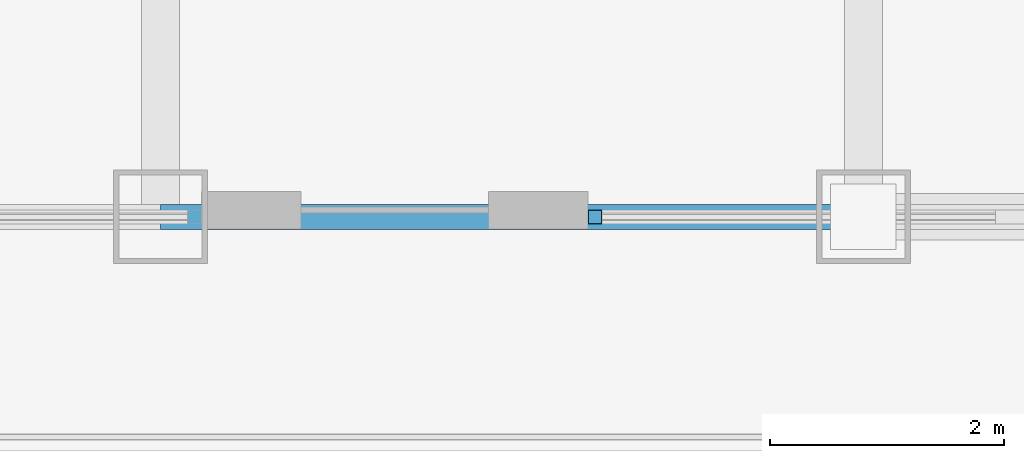
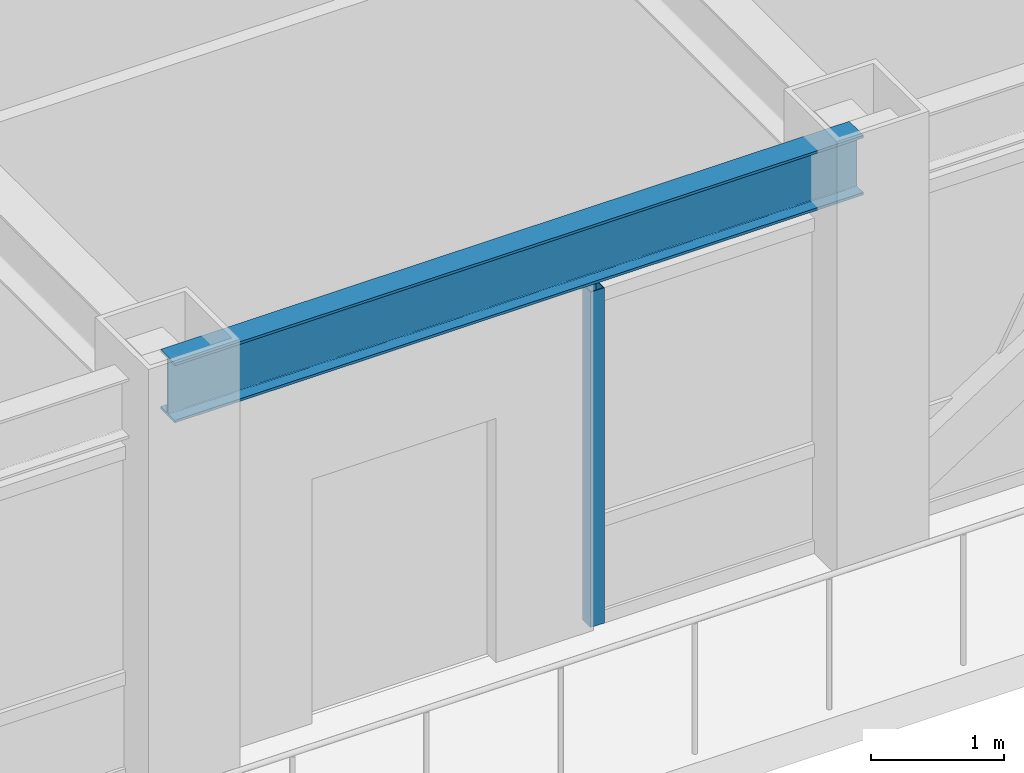
# One storey, part 5 of 30: 1 beam, 1 member, 1 element without a shape of its own.
"""IFC4 building model written with IfcOpenShell, lengths in metres."""

import ifcopenshell
import ifcopenshell.guid

model = None  # the IFC model being written
_history = None  # IfcOwnerHistory: only IFC2X3 demands one
_inside = {}  # id of a spatial element -> (the spatial element, [elements in it])
_under = {}  # id of a project, library or spatial element -> (it, [spatial elements below it])
_declared = {}  # id of a project -> (the project, [libraries it declares])
_typed = {}  # id of a type object -> (the type object, [elements of that type])
_made_of = {}  # id of a material, layer set ... -> (it, [elements and type objects made of it])


def new_model(schema):
    """Start an empty IFC model of exactly this schema.

    Asked for "IFC4X3", IfcOpenShell would pick the latest addendum, in which some entities
    have other attributes; the version numbers below select the first issue.
    IFC2X3 requires an IfcOwnerHistory on every rooted entity: one is made here for all.
    """
    global model, _history
    if schema == "IFC4X3":
        model = ifcopenshell.file(schema_version=(4, 3, 0, 0))
    else:
        model = ifcopenshell.file(schema=schema)
    _inside.clear()
    _under.clear()
    _declared.clear()
    _typed.clear()
    _made_of.clear()
    _history = None
    if model.schema == "IFC2X3":
        org = make("IfcOrganization", Name="unknown")
        user = make(
            "IfcPersonAndOrganization",
            ThePerson=make("IfcPerson", FamilyName="unknown"),
            TheOrganization=org,
        )
        app = make(
            "IfcApplication",
            ApplicationDeveloper=org,
            Version="unknown",
            ApplicationFullName="unknown",
            ApplicationIdentifier="unknown",
        )
        _history = make(
            "IfcOwnerHistory",
            OwningUser=user,
            OwningApplication=app,
            ChangeAction="ADDED",
            CreationDate=0,
        )
    return model


def make(cls, **values):
    """One entity of the class cls with the attributes given. An attribute that is None is left unset."""
    return model.create_entity(
        cls, **{name: value for name, value in values.items() if value is not None}
    )


def rooted(cls, **values):
    """An entity with a GlobalId (a new one), such as an element, a storey or a relation."""
    return make(cls, GlobalId=ifcopenshell.guid.new(), OwnerHistory=_history, **values)


def si_unit(unit_type, name, prefix=None):
    """IfcSIUnit, for example si_unit("LENGTHUNIT", "METRE", prefix="MILLI")."""
    return make("IfcSIUnit", UnitType=unit_type, Prefix=prefix, Name=name)


def assignment(units):
    """IfcUnitAssignment: the units of a project."""
    return None if units is None else make("IfcUnitAssignment", Units=units)


def point(xyz):
    """IfcCartesianPoint."""
    return None if xyz is None else make("IfcCartesianPoint", Coordinates=xyz)


def direction(xyz):
    """IfcDirection."""
    return None if xyz is None else make("IfcDirection", DirectionRatios=xyz)


def frame(location, z_axis=None, x_axis=None):
    """IfcAxis2Placement3D, a coordinate frame: its origin and axes. An axis left out is left unset."""
    return make(
        "IfcAxis2Placement3D",
        Location=point(location),
        Axis=direction(z_axis),
        RefDirection=direction(x_axis),
    )


def frame_2d(location, x_axis=None):
    """IfcAxis2Placement2D, a coordinate frame in the plane: its origin and x axis."""
    return make(
        "IfcAxis2Placement2D", Location=point(location), RefDirection=direction(x_axis)
    )


def origin():
    """The frame at (0, 0, 0) with its axes left unset."""
    return frame((0.0, 0.0, 0.0))


def origin_2d():
    """The frame at (0, 0) in the plane with its x axis left unset."""
    return frame_2d((0.0, 0.0))


def place(relative_to, where):
    """IfcLocalPlacement: puts the frame where relative to a parent placement (None: the world)."""
    return make(
        "IfcLocalPlacement", PlacementRelTo=relative_to, RelativePlacement=where
    )


def context(
    kind, dimensions, precision=None, world=None, true_north=None, identifier=None
):
    """IfcGeometricRepresentationContext, for example the 3D "Model" context."""
    return make(
        "IfcGeometricRepresentationContext",
        ContextIdentifier=identifier,
        ContextType=kind,
        CoordinateSpaceDimension=dimensions,
        Precision=precision,
        WorldCoordinateSystem=world,
        TrueNorth=true_north,
    )


def subcontext(parent, identifier, kind, view, scale=None):
    """IfcGeometricRepresentationSubContext, for example "Body" below "Model"."""
    return make(
        "IfcGeometricRepresentationSubContext",
        ContextIdentifier=identifier,
        ContextType=kind,
        ParentContext=parent,
        TargetScale=scale,
        TargetView=view,
    )


def project(units=None, contexts=None):
    """IfcProject with its units and contexts."""
    return rooted(
        "IfcProject",
        Name="project",
        RepresentationContexts=contexts,
        UnitsInContext=assignment(units),
    )


def spatial(cls, under=None, at=None, **own):
    """A site, building, storey or space (cls), placed at a placement, below another one or the project."""
    s = rooted(cls, ObjectPlacement=at, **own)
    if under is not None:
        _under.setdefault(under.id(), (under, []))[1].append(s)
    return s


def profile(cls, at=None, kind="AREA", **sizes):
    """A parametric profile (cls). Its sizes go by their IFC names, for example OverallWidth=200.0."""
    return make(cls, ProfileType=kind, Position=at, **sizes)


def hollow_rectangle(**sizes):
    """IfcRectangleHollowProfileDef."""
    return profile("IfcRectangleHollowProfileDef", **sizes)


def i_section(**sizes):
    """IfcIShapeProfileDef."""
    return profile("IfcIShapeProfileDef", **sizes)


def extrude(swept, where, along, depth):
    """IfcExtrudedAreaSolid: the profile swept, set in the frame where, extruded along a direction by depth."""
    return make(
        "IfcExtrudedAreaSolid",
        SweptArea=swept,
        Position=where,
        ExtrudedDirection=direction(along),
        Depth=depth,
    )


def shape(context_of_items, identifier, shape_type, items):
    """IfcShapeRepresentation: the items that make up one representation, for example the "Body"."""
    return make(
        "IfcShapeRepresentation",
        ContextOfItems=context_of_items,
        RepresentationIdentifier=identifier,
        RepresentationType=shape_type,
        Items=items,
    )


def source(mapping_origin, context_of_items, identifier, shape_type, items):
    """IfcRepresentationMap: a shape defined once, which mapped items show again and again."""
    return make(
        "IfcRepresentationMap",
        MappingOrigin=mapping_origin,
        MappedRepresentation=shape(context_of_items, identifier, shape_type, items),
    )


def transform(
    local_origin,
    x_axis=None,
    y_axis=None,
    z_axis=None,
    scale=None,
    scale2=None,
    scale3=None,
    uniform=True,
):
    """IfcCartesianTransformationOperator3D, or its non-uniform kind. x_axis, y_axis, z_axis: its Axis1, 2, 3."""
    if uniform:
        return make(
            "IfcCartesianTransformationOperator3D",
            Axis1=direction(x_axis),
            Axis2=direction(y_axis),
            LocalOrigin=point(local_origin),
            Scale=scale,
            Axis3=direction(z_axis),
        )
    return make(
        "IfcCartesianTransformationOperator3DnonUniform",
        Axis1=direction(x_axis),
        Axis2=direction(y_axis),
        LocalOrigin=point(local_origin),
        Scale=scale,
        Axis3=direction(z_axis),
        Scale2=scale2,
        Scale3=scale3,
    )


def mapped(mapping_source, mapping_target):
    """IfcMappedItem: shows the shape of a source again, moved by a transform."""
    return make(
        "IfcMappedItem", MappingSource=mapping_source, MappingTarget=mapping_target
    )


def material(Name=None, Category=None):
    """IfcMaterial."""
    return make("IfcMaterial", Name=Name, Category=Category)


def material_profile(
    of_material, cross_section, Name=None, Category=None, Priority=None
):
    """IfcMaterialProfile: a cross section and its material."""
    return make(
        "IfcMaterialProfile",
        Name=Name,
        Material=of_material,
        Profile=cross_section,
        Priority=Priority,
        Category=Category,
    )


def profile_set(profiles, Name=None, composite=None):
    """IfcMaterialProfileSet."""
    return make(
        "IfcMaterialProfileSet",
        Name=Name,
        MaterialProfiles=profiles,
        CompositeProfile=composite,
    )


def made_of(thing, what):
    """Note that an element or type object is made of a material, layer set ...; save() writes the relation."""
    if what is not None:
        _made_of.setdefault(what.id(), (what, []))[1].append(thing)
    return thing


def type_object(cls, material=None, **own):
    """A type object (cls), such as IfcWallType, which elements share."""
    return made_of(rooted(cls, **own), material)


def element(
    cls,
    number,
    at=None,
    inside=None,
    cuts=None,
    type_object=None,
    material=None,
    context=None,
    identifier="Body",
    shape_type=None,
    held_by="IfcProductDefinitionShape",
    body=None,
    shapes=None,
    **own,
):
    """One element of the class cls, such as IfcWall. Its Tag is "e" and its number.

    at: its placement. inside: the storey or other place that contains it. cuts: it is an
    opening in that element (IfcRelVoidsElement). A single representation is given by context,
    identifier, shape_type and body (its items); several are given by shapes. held_by: the class
    of the entity that holds the representations. save() writes the other relations.
    """
    e = rooted(cls, Tag="e%d" % number, ObjectPlacement=at, **own)
    if body is not None:
        shapes = [shape(context, identifier, shape_type, body)]
    if shapes is not None:
        e.Representation = make(held_by, Representations=shapes)
    if inside is not None:
        _inside.setdefault(inside.id(), (inside, []))[1].append(e)
    if cuts is not None:
        rooted(
            "IfcRelVoidsElement", RelatingBuildingElement=cuts, RelatedOpeningElement=e
        )
    if type_object is not None:
        _typed.setdefault(type_object.id(), (type_object, []))[1].append(e)
    return made_of(e, material)


def aggregate(whole, parts):
    """IfcRelAggregates: a whole, such as a stair, and the parts it consists of."""
    return rooted("IfcRelAggregates", RelatingObject=whole, RelatedObjects=parts)


def save(model, path):
    """Write the relations noted so far, then the file.

    IfcRelAggregates (storeys below a building ...), IfcRelContainedInSpatialStructure (elements
    in a storey), IfcRelDefinesByType, IfcRelAssociatesMaterial and IfcRelDeclares: one each for
    every whole, place, type object, material and project.
    """
    for whole, parts in _under.values():
        aggregate(whole, parts)
    for where, things in _inside.values():
        rooted(
            "IfcRelContainedInSpatialStructure",
            RelatedElements=things,
            RelatingStructure=where,
        )
    for kind, things in _typed.values():
        rooted("IfcRelDefinesByType", RelatedObjects=things, RelatingType=kind)
    for what, things in _made_of.values():
        rooted("IfcRelAssociatesMaterial", RelatedObjects=things, RelatingMaterial=what)
    for by, libraries in _declared.values():
        rooted("IfcRelDeclares", RelatingContext=by, RelatedDefinitions=libraries)
    model.write(path)


model = new_model("IFC4")

# Units and contexts
model_context = context("Model", 3, precision=1e-05, world=origin(), true_north=direction((0.0, 1.0)))
body_context = subcontext(model_context, "Body", "Model", "MODEL_VIEW")
ifc_project = project(units=[si_unit("LENGTHUNIT", "METRE"), si_unit("AREAUNIT", "SQUARE_METRE"), si_unit("VOLUMEUNIT", "CUBIC_METRE"), si_unit("PLANEANGLEUNIT", "RADIAN"), si_unit("MASSUNIT", "GRAM", prefix="KILO")], contexts=[model_context])

# Site, building, storey
site_placement = place(None, origin())
site = spatial("IfcSite", under=ifc_project, at=site_placement, CompositionType="ELEMENT")
building_placement = place(site_placement, origin())
building = spatial("IfcBuilding", under=site, at=building_placement, Name="Khorayat Bourse Tower", CompositionType="ELEMENT")
storey_placement = place(building_placement, frame((0.0, 0.0, 326.300048828125)))
storey = spatial("IfcBuildingStorey", under=building, at=storey_placement, Name="L77", CompositionType="ELEMENT", Elevation=326.300048828125)

# Beam
ifc_material_1 = material(Name="Steel ASTM A992 Grade 50", Category="steel")
ifc_material_profile_1 = material_profile(ifc_material_1, i_section(OverallWidth=0.214111328125, OverallDepth=0.549072265625, WebThickness=0.0146484375, FlangeThickness=0.023681640625, FilletRadius=0.013916015625, at=origin_2d()), Name="W530X138")
ifc_profile_set_1 = profile_set([ifc_material_profile_1], Name="Steel ASTM A992 Grade 50")
beam_type = type_object("IfcBeamType", Name="BM-SPAN-530", PredefinedType="SPANDREL", material=ifc_profile_set_1)
shared_shape_1 = source(origin(), body_context, "Body", "SweptSolid", [
    extrude(i_section(OverallWidth=0.214111328125, OverallDepth=0.549072265625, WebThickness=0.0146484375, FlangeThickness=0.023681640625, FilletRadius=0.013916015625, at=origin_2d()), origin(), (0.0, 0.0, 1.0), 6.0),
])
beam_placement = place(storey_placement, frame((0.0, -26.0, 3.46533203125), z_axis=(1.0, 0.0, 0.0), x_axis=(0.0, 1.0, 0.0)))
element("IfcBeam", 1, at=beam_placement, inside=storey, type_object=beam_type, Name="L77 BM-SPAN-530 BM-L77-SPN-027", PredefinedType="SPANDREL", context=body_context, shape_type="MappedRepresentation", body=[
    mapped(shared_shape_1, transform((0.0, 0.0, 0.0), scale=1.0)),
])

# Curtain wall, member
ifc_material_2 = material(Name="Aluminium EN AW-6063 T6", Category="aluminium")
curtain_wall_type = type_object("IfcCurtainWallType", Name="CW-SYS-04", PredefinedType="NOTDEFINED", material=ifc_material_2)
curtain_wall_placement = place(storey_placement, origin())
curtain_wall = element("IfcCurtainWall", 2, at=curtain_wall_placement, inside=storey, type_object=curtain_wall_type, Name="L77 Curtain Wall CW-L77-S2", PredefinedType="NOTDEFINED")
ifc_material_profile_2 = material_profile(ifc_material_2, hollow_rectangle(XDim=0.1201171875, YDim=0.1201171875, WallThickness=0.0048828125, at=origin_2d()), Name="ALU 120x120x5")
ifc_profile_set_2 = profile_set([ifc_material_profile_2], Name="Aluminium EN AW-6063 T6")
member_type = type_object("IfcMemberType", Name="CWM-VERT-120", PredefinedType="MULLION", material=ifc_profile_set_2)
shared_shape_2 = source(origin(), body_context, "Body", "SweptSolid", [
    extrude(hollow_rectangle(XDim=0.1201171875, YDim=0.1201171875, WallThickness=0.0048828125, at=origin_2d()), origin(), (0.0, 0.0, 1.0), 3.08984375),
])
member_placement = place(storey_placement, frame((3.7099609375, -26.0, 0.0), z_axis=(0.0, 0.0, 1.0), x_axis=(0.0, 1.0, 0.0)))
member = element("IfcMember", 3, at=member_placement, type_object=member_type, Name="CW-L77-S2 Vertical Mullion 1", PredefinedType="MULLION", context=body_context, shape_type="MappedRepresentation", body=[
    mapped(shared_shape_2, transform((0.0, 0.0, 0.0), scale=1.0)),
])
aggregate(curtain_wall, [member])

save(model, "model.ifc")
